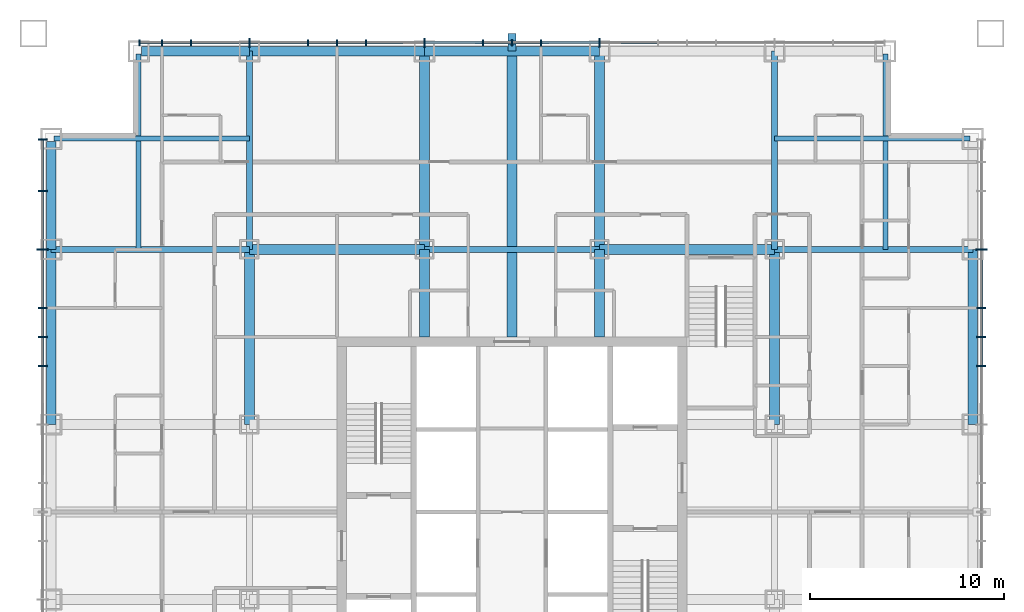
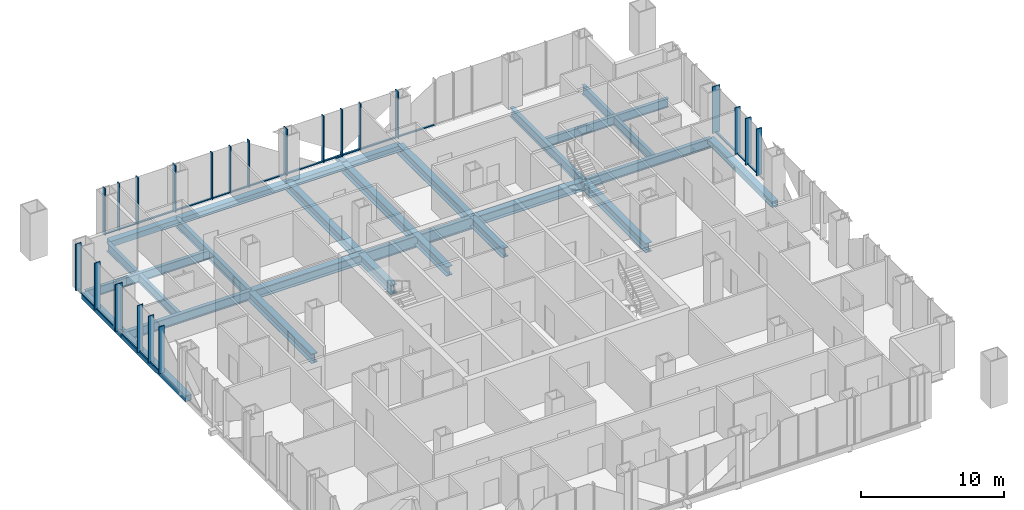
# One storey, part 5 of 13: 43 members, 24 beams, 3 elements without a shape of their own.
"""IFC4 building model written with IfcOpenShell, lengths in metres."""

from ifc_helpers import new_model, si_unit, direction, frame, origin, origin_2d, place, context, subcontext, project, spatial, rectangle, hollow_rectangle, i_section, extrude, material, layer, layer_set, material_profile, profile_set, type_object, element, aggregate, save


model = new_model("IFC4")

# Units and contexts
model_context = context("Model", 3, precision=1e-05, world=origin(), true_north=direction((0.0, 1.0)))
body_context = subcontext(model_context, "Body", "Model", "MODEL_VIEW")
ifc_project = project(units=[si_unit("LENGTHUNIT", "METRE"), si_unit("AREAUNIT", "SQUARE_METRE"), si_unit("VOLUMEUNIT", "CUBIC_METRE"), si_unit("PLANEANGLEUNIT", "RADIAN"), si_unit("MASSUNIT", "GRAM", prefix="KILO")], contexts=[model_context])

# Site, building, storey
site_placement = place(None, origin())
site = spatial("IfcSite", under=ifc_project, at=site_placement, CompositionType="ELEMENT")
building_placement = place(site_placement, origin())
building = spatial("IfcBuilding", under=site, at=building_placement, Name="Malebo Sky Hospital", CompositionType="ELEMENT")
storey_placement = place(building_placement, frame((0.0, 0.0, 156.0)))
storey = spatial("IfcBuildingStorey", under=building, at=storey_placement, Name="L37", CompositionType="ELEMENT", Elevation=156.0)

# Curtain wall, members
ifc_material_1 = material(Name="Anodised aluminium, natural silver", Category="aluminium")
ifc_layer_1 = layer(ifc_material_1, 0.25)
ifc_layer_set_1 = layer_set([ifc_layer_1], Name="WARD CURTAIN WALL NORTH AND SOUTH")
curtain_wall_type_1 = type_object("IfcCurtainWallType", Name="WARD CURTAIN WALL NORTH AND SOUTH", PredefinedType="NOTDEFINED", material=ifc_layer_set_1)
curtain_wall_1_placement = place(storey_placement, origin())
curtain_wall_1 = element("IfcCurtainWall", 1, at=curtain_wall_1_placement, inside=storey, type_object=curtain_wall_type_1, Name="NS curtain wall N", PredefinedType="NOTDEFINED")
ifc_material_profile_1 = material_profile(ifc_material_1, rectangle(XDim=0.14990234375, YDim=0.10009765625, at=origin_2d()), Name="ALUMINIUM TRANSOM 150x100")
ifc_profile_set_1 = profile_set([ifc_material_profile_1], Name="Anodised aluminium, natural silver")
member_type_1 = type_object("IfcMemberType", Name="ALUMINIUM TRANSOM 150x100", PredefinedType="USERDEFINED", material=ifc_profile_set_1)
member_1_placement = place(storey_placement, frame((40.875, 86.135009765625, 0.050048828125), z_axis=(1.0, 0.0, 0.0), x_axis=(0.0, 1.0, 0.0)))
member_1 = element("IfcMember", 2, at=member_1_placement, type_object=member_type_1, Name="Transom 1", ObjectType="TRANSOM", PredefinedType="USERDEFINED", context=body_context, shape_type="SweptSolid", body=[
    extrude(rectangle(XDim=0.14990234375, YDim=0.10009765625, at=origin_2d()), origin(), (0.0, 0.0, 1.0), 1.08740234375),
])
member_2_placement = place(storey_placement, frame((42.03759765625, 86.135009765625, 0.050048828125), z_axis=(1.0, 0.0, 0.0), x_axis=(0.0, 1.0, 0.0)))
member_2 = element("IfcMember", 3, at=member_2_placement, type_object=member_type_1, Name="Transom 2", ObjectType="TRANSOM", PredefinedType="USERDEFINED", context=body_context, shape_type="SweptSolid", body=[
    extrude(rectangle(XDim=0.14990234375, YDim=0.10009765625, at=origin_2d()), origin(), (0.0, 0.0, 1.0), 1.4248046875),
])
member_3_placement = place(storey_placement, frame((43.53759765625, 86.135009765625, 0.050048828125), z_axis=(1.0, 0.0, 0.0), x_axis=(0.0, 1.0, 0.0)))
member_3 = element("IfcMember", 4, at=member_3_placement, type_object=member_type_1, Name="Transom 3", ObjectType="TRANSOM", PredefinedType="USERDEFINED", context=body_context, shape_type="SweptSolid", body=[
    extrude(rectangle(XDim=0.14990234375, YDim=0.10009765625, at=origin_2d()), origin(), (0.0, 0.0, 1.0), 2.9248046875),
])
member_4_placement = place(storey_placement, frame((46.53759765625, 86.135009765625, 0.050048828125), z_axis=(1.0, 0.0, 0.0), x_axis=(0.0, 1.0, 0.0)))
member_4 = element("IfcMember", 5, at=member_4_placement, type_object=member_type_1, Name="Transom 4", ObjectType="TRANSOM", PredefinedType="USERDEFINED", context=body_context, shape_type="SweptSolid", body=[
    extrude(rectangle(XDim=0.14990234375, YDim=0.10009765625, at=origin_2d()), origin(), (0.0, 0.0, 1.0), 2.9248046875),
])
member_5_placement = place(storey_placement, frame((49.53759765625, 86.135009765625, 0.050048828125), z_axis=(1.0, 0.0, 0.0), x_axis=(0.0, 1.0, 0.0)))
member_5 = element("IfcMember", 6, at=member_5_placement, type_object=member_type_1, Name="Transom 5", ObjectType="TRANSOM", PredefinedType="USERDEFINED", context=body_context, shape_type="SweptSolid", body=[
    extrude(rectangle(XDim=0.14990234375, YDim=0.10009765625, at=origin_2d()), origin(), (0.0, 0.0, 1.0), 1.4248046875),
])
member_6_placement = place(storey_placement, frame((51.03759765625, 86.135009765625, 0.050048828125), z_axis=(1.0, 0.0, 0.0), x_axis=(0.0, 1.0, 0.0)))
member_6 = element("IfcMember", 7, at=member_6_placement, type_object=member_type_1, Name="Transom 6", ObjectType="TRANSOM", PredefinedType="USERDEFINED", context=body_context, shape_type="SweptSolid", body=[
    extrude(rectangle(XDim=0.14990234375, YDim=0.10009765625, at=origin_2d()), origin(), (0.0, 0.0, 1.0), 1.4248046875),
])
member_7_placement = place(storey_placement, frame((52.53759765625, 86.135009765625, 0.050048828125), z_axis=(1.0, 0.0, 0.0), x_axis=(0.0, 1.0, 0.0)))
member_7 = element("IfcMember", 8, at=member_7_placement, type_object=member_type_1, Name="Transom 7", ObjectType="TRANSOM", PredefinedType="USERDEFINED", context=body_context, shape_type="SweptSolid", body=[
    extrude(rectangle(XDim=0.14990234375, YDim=0.10009765625, at=origin_2d()), origin(), (0.0, 0.0, 1.0), 2.9248046875),
])
member_8_placement = place(storey_placement, frame((55.53759765625, 86.135009765625, 0.050048828125), z_axis=(1.0, 0.0, 0.0), x_axis=(0.0, 1.0, 0.0)))
member_8 = element("IfcMember", 9, at=member_8_placement, type_object=member_type_1, Name="Transom 8", ObjectType="TRANSOM", PredefinedType="USERDEFINED", context=body_context, shape_type="SweptSolid", body=[
    extrude(rectangle(XDim=0.14990234375, YDim=0.10009765625, at=origin_2d()), origin(), (0.0, 0.0, 1.0), 2.9248046875),
])
member_9_placement = place(storey_placement, frame((58.53759765625, 86.135009765625, 0.050048828125), z_axis=(1.0, 0.0, 0.0), x_axis=(0.0, 1.0, 0.0)))
member_9 = element("IfcMember", 10, at=member_9_placement, type_object=member_type_1, Name="Transom 9", ObjectType="TRANSOM", PredefinedType="USERDEFINED", context=body_context, shape_type="SweptSolid", body=[
    extrude(rectangle(XDim=0.14990234375, YDim=0.10009765625, at=origin_2d()), origin(), (0.0, 0.0, 1.0), 1.4248046875),
])
member_10_placement = place(storey_placement, frame((60.03759765625, 86.135009765625, 0.050048828125), z_axis=(1.0, 0.0, 0.0), x_axis=(0.0, 1.0, 0.0)))
member_10 = element("IfcMember", 11, at=member_10_placement, type_object=member_type_1, Name="Transom 10", ObjectType="TRANSOM", PredefinedType="USERDEFINED", context=body_context, shape_type="SweptSolid", body=[
    extrude(rectangle(XDim=0.14990234375, YDim=0.10009765625, at=origin_2d()), origin(), (0.0, 0.0, 1.0), 1.4248046875),
])
member_11_placement = place(storey_placement, frame((61.53759765625, 86.135009765625, 0.050048828125), z_axis=(1.0, 0.0, 0.0), x_axis=(0.0, 1.0, 0.0)))
member_11 = element("IfcMember", 12, at=member_11_placement, type_object=member_type_1, Name="Transom 11", ObjectType="TRANSOM", PredefinedType="USERDEFINED", context=body_context, shape_type="SweptSolid", body=[
    extrude(rectangle(XDim=0.14990234375, YDim=0.10009765625, at=origin_2d()), origin(), (0.0, 0.0, 1.0), 2.9248046875),
])
member_12_placement = place(storey_placement, frame((64.53759765625, 86.135009765625, 0.050048828125), z_axis=(1.0, 0.0, 0.0), x_axis=(0.0, 1.0, 0.0)))
member_12 = element("IfcMember", 13, at=member_12_placement, type_object=member_type_1, Name="Transom 12", ObjectType="TRANSOM", PredefinedType="USERDEFINED", context=body_context, shape_type="SweptSolid", body=[
    extrude(rectangle(XDim=0.14990234375, YDim=0.10009765625, at=origin_2d()), origin(), (0.0, 0.0, 1.0), 2.9248046875),
])

ifc_layer_2 = layer(ifc_material_1, 0.25)
ifc_layer_set_2 = layer_set([ifc_layer_2], Name="WARD CURTAIN WALL EAST AND WEST")
curtain_wall_type_2 = type_object("IfcCurtainWallType", Name="WARD CURTAIN WALL EAST AND WEST", PredefinedType="NOTDEFINED", material=ifc_layer_set_2)
curtain_wall_2_placement = place(storey_placement, origin())
curtain_wall_2 = element("IfcCurtainWall", 14, at=curtain_wall_2_placement, inside=storey, type_object=curtain_wall_type_2, Name="EW curtain wall W", PredefinedType="NOTDEFINED")
member_13_placement = place(storey_placement, frame((35.864990234375, 69.53759765625, 0.050048828125), z_axis=(0.0, 1.0, 0.0), x_axis=(-1.0, 0.0, 0.0)))
member_13 = element("IfcMember", 15, at=member_13_placement, type_object=member_type_1, Name="Transom 13", ObjectType="TRANSOM", PredefinedType="USERDEFINED", context=body_context, shape_type="SweptSolid", body=[
    extrude(rectangle(XDim=0.14990234375, YDim=0.10009765625, at=origin_2d()), origin(), (0.0, 0.0, 1.0), 1.4248046875),
])
member_14_placement = place(storey_placement, frame((35.864990234375, 71.03759765625, 0.050048828125), z_axis=(0.0, 1.0, 0.0), x_axis=(-1.0, 0.0, 0.0)))
member_14 = element("IfcMember", 16, at=member_14_placement, type_object=member_type_1, Name="Transom 14", ObjectType="TRANSOM", PredefinedType="USERDEFINED", context=body_context, shape_type="SweptSolid", body=[
    extrude(rectangle(XDim=0.14990234375, YDim=0.10009765625, at=origin_2d()), origin(), (0.0, 0.0, 1.0), 1.4248046875),
])
member_15_placement = place(storey_placement, frame((35.864990234375, 72.53759765625, 0.050048828125), z_axis=(0.0, 1.0, 0.0), x_axis=(-1.0, 0.0, 0.0)))
member_15 = element("IfcMember", 17, at=member_15_placement, type_object=member_type_1, Name="Transom 15", ObjectType="TRANSOM", PredefinedType="USERDEFINED", context=body_context, shape_type="SweptSolid", body=[
    extrude(rectangle(XDim=0.14990234375, YDim=0.10009765625, at=origin_2d()), origin(), (0.0, 0.0, 1.0), 2.9248046875),
])
member_16_placement = place(storey_placement, frame((35.864990234375, 75.53759765625, 0.050048828125), z_axis=(0.0, 1.0, 0.0), x_axis=(-1.0, 0.0, 0.0)))
member_16 = element("IfcMember", 18, at=member_16_placement, type_object=member_type_1, Name="Transom 16", ObjectType="TRANSOM", PredefinedType="USERDEFINED", context=body_context, shape_type="SweptSolid", body=[
    extrude(rectangle(XDim=0.14990234375, YDim=0.10009765625, at=origin_2d()), origin(), (0.0, 0.0, 1.0), 2.9248046875),
])
member_17_placement = place(storey_placement, frame((35.864990234375, 78.53759765625, 0.050048828125), z_axis=(0.0, 1.0, 0.0), x_axis=(-1.0, 0.0, 0.0)))
member_17 = element("IfcMember", 19, at=member_17_placement, type_object=member_type_1, Name="Transom 17", ObjectType="TRANSOM", PredefinedType="USERDEFINED", context=body_context, shape_type="SweptSolid", body=[
    extrude(rectangle(XDim=0.14990234375, YDim=0.10009765625, at=origin_2d()), origin(), (0.0, 0.0, 1.0), 2.58740234375),
])

curtain_wall_3_placement = place(storey_placement, origin())
curtain_wall_3 = element("IfcCurtainWall", 20, at=curtain_wall_3_placement, inside=storey, type_object=curtain_wall_type_2, Name="EW curtain wall E", PredefinedType="NOTDEFINED")
member_18_placement = place(storey_placement, frame((84.135009765625, 75.46240234375, 0.050048828125), z_axis=(0.0, -1.0, 0.0), x_axis=(1.0, 0.0, 0.0)))
member_18 = element("IfcMember", 21, at=member_18_placement, type_object=member_type_1, Name="Transom 4", ObjectType="TRANSOM", PredefinedType="USERDEFINED", context=body_context, shape_type="SweptSolid", body=[
    extrude(rectangle(XDim=0.14990234375, YDim=0.10009765625, at=origin_2d()), origin(), (0.0, 0.0, 1.0), 2.9248046875),
])
member_19_placement = place(storey_placement, frame((84.135009765625, 72.46240234375, 0.050048828125), z_axis=(0.0, -1.0, 0.0), x_axis=(1.0, 0.0, 0.0)))
member_19 = element("IfcMember", 22, at=member_19_placement, type_object=member_type_1, Name="Transom 5", ObjectType="TRANSOM", PredefinedType="USERDEFINED", context=body_context, shape_type="SweptSolid", body=[
    extrude(rectangle(XDim=0.14990234375, YDim=0.10009765625, at=origin_2d()), origin(), (0.0, 0.0, 1.0), 1.4248046875),
])
member_20_placement = place(storey_placement, frame((84.135009765625, 70.96240234375, 0.050048828125), z_axis=(0.0, -1.0, 0.0), x_axis=(1.0, 0.0, 0.0)))
member_20 = element("IfcMember", 23, at=member_20_placement, type_object=member_type_1, Name="Transom 6", ObjectType="TRANSOM", PredefinedType="USERDEFINED", context=body_context, shape_type="SweptSolid", body=[
    extrude(rectangle(XDim=0.14990234375, YDim=0.10009765625, at=origin_2d()), origin(), (0.0, 0.0, 1.0), 1.4248046875),
])

# Member
ifc_material_2 = material(Name="Steel S355", Category="steel")
ifc_material_profile_2 = material_profile(ifc_material_2, hollow_rectangle(XDim=0.39990234375, YDim=0.39990234375, WallThickness=0.02001953125, at=origin_2d()), Name="SHS 400x20")
ifc_profile_set_2 = profile_set([ifc_material_profile_2], Name="Steel S355")
member_type_2 = type_object("IfcMemberType", Name="BRACE STRUT SHS 400x20", PredefinedType="STRUT", material=ifc_profile_set_2)
member_21_placement = place(storey_placement, frame((60.0, 86.60009765625, -0.39990234375), z_axis=(0.0, -1.0, 0.0), x_axis=(1.0, 0.0, 0.0)))
element("IfcMember", 24, at=member_21_placement, inside=storey, type_object=member_type_2, Name="Brace strut BN1 L37", PredefinedType="STRUT", context=body_context, shape_type="SweptSolid", body=[
    extrude(hollow_rectangle(XDim=0.39990234375, YDim=0.39990234375, WallThickness=0.02001953125, at=origin_2d()), origin(), (0.0, 0.0, 1.0), 0.900146484375),
])

ifc_material_profile_3 = material_profile(ifc_material_1, rectangle(XDim=0.074951171875, YDim=0.300048828125, at=origin_2d()), Name="CW1 ALUMINIUM FIN MULLION 75x300")
ifc_profile_set_3 = profile_set([ifc_material_profile_3], Name="Anodised aluminium, natural silver")
member_type_3 = type_object("IfcMemberType", Name="CW1 ALUMINIUM FIN MULLION 75x300", PredefinedType="MULLION", material=ifc_profile_set_3)
member_22_placement = place(storey_placement, frame((40.83740234375, 86.135009765625, 0.0), z_axis=(0.0, 0.0, 1.0), x_axis=(1.0, 0.0, 0.0)))
member_22 = element("IfcMember", 25, at=member_22_placement, type_object=member_type_3, Name="Fin mullion 1", PredefinedType="MULLION", context=body_context, shape_type="SweptSolid", body=[
    extrude(rectangle(XDim=0.074951171875, YDim=0.300048828125, at=origin_2d()), origin(), (0.0, 0.0, 1.0), 4.0),
])

member_23_placement = place(storey_placement, frame((42.0, 86.135009765625, 0.0), z_axis=(0.0, 0.0, 1.0), x_axis=(1.0, 0.0, 0.0)))
member_23 = element("IfcMember", 26, at=member_23_placement, type_object=member_type_3, Name="Fin mullion 2", PredefinedType="MULLION", context=body_context, shape_type="SweptSolid", body=[
    extrude(rectangle(XDim=0.074951171875, YDim=0.300048828125, at=origin_2d()), origin(), (0.0, 0.0, 1.0), 4.0),
])

member_24_placement = place(storey_placement, frame((43.5, 86.135009765625, 0.0), z_axis=(0.0, 0.0, 1.0), x_axis=(1.0, 0.0, 0.0)))
member_24 = element("IfcMember", 27, at=member_24_placement, type_object=member_type_3, Name="Fin mullion 3", PredefinedType="MULLION", context=body_context, shape_type="SweptSolid", body=[
    extrude(rectangle(XDim=0.074951171875, YDim=0.300048828125, at=origin_2d()), origin(), (0.0, 0.0, 1.0), 4.0),
])

member_25_placement = place(storey_placement, frame((49.5, 86.135009765625, 0.0), z_axis=(0.0, 0.0, 1.0), x_axis=(1.0, 0.0, 0.0)))
member_25 = element("IfcMember", 28, at=member_25_placement, type_object=member_type_3, Name="Fin mullion 5", PredefinedType="MULLION", context=body_context, shape_type="SweptSolid", body=[
    extrude(rectangle(XDim=0.074951171875, YDim=0.300048828125, at=origin_2d()), origin(), (0.0, 0.0, 1.0), 4.0),
])

member_26_placement = place(storey_placement, frame((51.0, 86.135009765625, 0.0), z_axis=(0.0, 0.0, 1.0), x_axis=(1.0, 0.0, 0.0)))
member_26 = element("IfcMember", 29, at=member_26_placement, type_object=member_type_3, Name="Fin mullion 6", PredefinedType="MULLION", context=body_context, shape_type="SweptSolid", body=[
    extrude(rectangle(XDim=0.074951171875, YDim=0.300048828125, at=origin_2d()), origin(), (0.0, 0.0, 1.0), 4.0),
])

member_27_placement = place(storey_placement, frame((52.5, 86.135009765625, 0.0), z_axis=(0.0, 0.0, 1.0), x_axis=(1.0, 0.0, 0.0)))
member_27 = element("IfcMember", 30, at=member_27_placement, type_object=member_type_3, Name="Fin mullion 7", PredefinedType="MULLION", context=body_context, shape_type="SweptSolid", body=[
    extrude(rectangle(XDim=0.074951171875, YDim=0.300048828125, at=origin_2d()), origin(), (0.0, 0.0, 1.0), 4.0),
])

member_28_placement = place(storey_placement, frame((58.5, 86.135009765625, 0.0), z_axis=(0.0, 0.0, 1.0), x_axis=(1.0, 0.0, 0.0)))
member_28 = element("IfcMember", 31, at=member_28_placement, type_object=member_type_3, Name="Fin mullion 9", PredefinedType="MULLION", context=body_context, shape_type="SweptSolid", body=[
    extrude(rectangle(XDim=0.074951171875, YDim=0.300048828125, at=origin_2d()), origin(), (0.0, 0.0, 1.0), 4.0),
])

member_29_placement = place(storey_placement, frame((60.0, 86.135009765625, 0.0), z_axis=(0.0, 0.0, 1.0), x_axis=(1.0, 0.0, 0.0)))
member_29 = element("IfcMember", 32, at=member_29_placement, type_object=member_type_3, Name="Fin mullion 10", PredefinedType="MULLION", context=body_context, shape_type="SweptSolid", body=[
    extrude(rectangle(XDim=0.074951171875, YDim=0.300048828125, at=origin_2d()), origin(), (0.0, 0.0, 1.0), 4.0),
])

member_30_placement = place(storey_placement, frame((61.5, 86.135009765625, 0.0), z_axis=(0.0, 0.0, 1.0), x_axis=(1.0, 0.0, 0.0)))
member_30 = element("IfcMember", 33, at=member_30_placement, type_object=member_type_3, Name="Fin mullion 11", PredefinedType="MULLION", context=body_context, shape_type="SweptSolid", body=[
    extrude(rectangle(XDim=0.074951171875, YDim=0.300048828125, at=origin_2d()), origin(), (0.0, 0.0, 1.0), 4.0),
])

ifc_material_profile_4 = material_profile(ifc_material_1, rectangle(XDim=0.074951171875, YDim=0.449951171875, at=origin_2d()), Name="CW1 ALUMINIUM FIN MULLION 75x450")
ifc_profile_set_4 = profile_set([ifc_material_profile_4], Name="Anodised aluminium, natural silver")
member_type_4 = type_object("IfcMemberType", Name="CW1 ALUMINIUM FIN MULLION 75x450", PredefinedType="MULLION", material=ifc_profile_set_4)
member_31_placement = place(storey_placement, frame((46.5, 86.135009765625, 0.0), z_axis=(0.0, 0.0, 1.0), x_axis=(1.0, 0.0, 0.0)))
member_31 = element("IfcMember", 34, at=member_31_placement, type_object=member_type_4, Name="Fin mullion 4", PredefinedType="MULLION", context=body_context, shape_type="SweptSolid", body=[
    extrude(rectangle(XDim=0.074951171875, YDim=0.449951171875, at=origin_2d()), origin(), (0.0, 0.0, 1.0), 4.0),
])

member_32_placement = place(storey_placement, frame((55.5, 86.135009765625, 0.0), z_axis=(0.0, 0.0, 1.0), x_axis=(1.0, 0.0, 0.0)))
member_32 = element("IfcMember", 35, at=member_32_placement, type_object=member_type_4, Name="Fin mullion 8", PredefinedType="MULLION", context=body_context, shape_type="SweptSolid", body=[
    extrude(rectangle(XDim=0.074951171875, YDim=0.449951171875, at=origin_2d()), origin(), (0.0, 0.0, 1.0), 4.0),
])

member_33_placement = place(storey_placement, frame((64.5, 86.135009765625, 0.0), z_axis=(0.0, 0.0, 1.0), x_axis=(1.0, 0.0, 0.0)))
member_33 = element("IfcMember", 36, at=member_33_placement, type_object=member_type_4, Name="Fin mullion 12", PredefinedType="MULLION", context=body_context, shape_type="SweptSolid", body=[
    extrude(rectangle(XDim=0.074951171875, YDim=0.449951171875, at=origin_2d()), origin(), (0.0, 0.0, 1.0), 4.0),
])

aggregate(curtain_wall_1, [member_22, member_23, member_24, member_31, member_25, member_26, member_27, member_32, member_28, member_29, member_30, member_33, member_1, member_2, member_3, member_4, member_5, member_6, member_7, member_8, member_9, member_10, member_11, member_12])

ifc_material_profile_5 = material_profile(ifc_material_1, rectangle(XDim=0.074951171875, YDim=0.449951171875, at=origin_2d()), Name="CW2 ALUMINIUM FIN MULLION 75x450")
ifc_profile_set_5 = profile_set([ifc_material_profile_5], Name="Anodised aluminium, natural silver")
member_type_5 = type_object("IfcMemberType", Name="CW2 ALUMINIUM FIN MULLION 75x450", PredefinedType="MULLION", material=ifc_profile_set_5)
member_34_placement = place(storey_placement, frame((35.864990234375, 69.5, 0.0), z_axis=(0.0, 0.0, 1.0), x_axis=(0.0, 1.0, 0.0)))
member_34 = element("IfcMember", 37, at=member_34_placement, type_object=member_type_5, Name="Fin mullion 13", PredefinedType="MULLION", context=body_context, shape_type="SweptSolid", body=[
    extrude(rectangle(XDim=0.074951171875, YDim=0.449951171875, at=origin_2d()), origin(), (0.0, 0.0, 1.0), 4.0),
])

member_35_placement = place(storey_placement, frame((35.864990234375, 71.0, 0.0), z_axis=(0.0, 0.0, 1.0), x_axis=(0.0, 1.0, 0.0)))
member_35 = element("IfcMember", 38, at=member_35_placement, type_object=member_type_5, Name="Fin mullion 14", PredefinedType="MULLION", context=body_context, shape_type="SweptSolid", body=[
    extrude(rectangle(XDim=0.074951171875, YDim=0.449951171875, at=origin_2d()), origin(), (0.0, 0.0, 1.0), 4.0),
])

member_36_placement = place(storey_placement, frame((35.864990234375, 72.5, 0.0), z_axis=(0.0, 0.0, 1.0), x_axis=(0.0, 1.0, 0.0)))
member_36 = element("IfcMember", 39, at=member_36_placement, type_object=member_type_5, Name="Fin mullion 15", PredefinedType="MULLION", context=body_context, shape_type="SweptSolid", body=[
    extrude(rectangle(XDim=0.074951171875, YDim=0.449951171875, at=origin_2d()), origin(), (0.0, 0.0, 1.0), 4.0),
])

member_37_placement = place(storey_placement, frame((35.864990234375, 78.5, 0.0), z_axis=(0.0, 0.0, 1.0), x_axis=(0.0, 1.0, 0.0)))
member_37 = element("IfcMember", 40, at=member_37_placement, type_object=member_type_5, Name="Fin mullion 17", PredefinedType="MULLION", context=body_context, shape_type="SweptSolid", body=[
    extrude(rectangle(XDim=0.074951171875, YDim=0.449951171875, at=origin_2d()), origin(), (0.0, 0.0, 1.0), 4.0),
])

member_38_placement = place(storey_placement, frame((35.864990234375, 81.16259765625, 0.0), z_axis=(0.0, 0.0, 1.0), x_axis=(0.0, 1.0, 0.0)))
member_38 = element("IfcMember", 41, at=member_38_placement, type_object=member_type_5, Name="Fin mullion 18", PredefinedType="MULLION", context=body_context, shape_type="SweptSolid", body=[
    extrude(rectangle(XDim=0.074951171875, YDim=0.449951171875, at=origin_2d()), origin(), (0.0, 0.0, 1.0), 4.0),
])

member_39_placement = place(storey_placement, frame((84.135009765625, 72.5, 0.0), z_axis=(0.0, 0.0, 1.0), x_axis=(0.0, -1.0, 0.0)))
member_39 = element("IfcMember", 42, at=member_39_placement, type_object=member_type_5, Name="Fin mullion 5", PredefinedType="MULLION", context=body_context, shape_type="SweptSolid", body=[
    extrude(rectangle(XDim=0.074951171875, YDim=0.449951171875, at=origin_2d()), origin(), (0.0, 0.0, 1.0), 4.0),
])

member_40_placement = place(storey_placement, frame((84.135009765625, 71.0, 0.0), z_axis=(0.0, 0.0, 1.0), x_axis=(0.0, -1.0, 0.0)))
member_40 = element("IfcMember", 43, at=member_40_placement, type_object=member_type_5, Name="Fin mullion 6", PredefinedType="MULLION", context=body_context, shape_type="SweptSolid", body=[
    extrude(rectangle(XDim=0.074951171875, YDim=0.449951171875, at=origin_2d()), origin(), (0.0, 0.0, 1.0), 4.0),
])

member_41_placement = place(storey_placement, frame((84.135009765625, 69.5, 0.0), z_axis=(0.0, 0.0, 1.0), x_axis=(0.0, -1.0, 0.0)))
member_41 = element("IfcMember", 44, at=member_41_placement, type_object=member_type_5, Name="Fin mullion 7", PredefinedType="MULLION", context=body_context, shape_type="SweptSolid", body=[
    extrude(rectangle(XDim=0.074951171875, YDim=0.449951171875, at=origin_2d()), origin(), (0.0, 0.0, 1.0), 4.0),
])

ifc_material_profile_6 = material_profile(ifc_material_1, rectangle(XDim=0.074951171875, YDim=0.60009765625, at=origin_2d()), Name="CW2 ALUMINIUM FIN MULLION 75x600")
ifc_profile_set_6 = profile_set([ifc_material_profile_6], Name="Anodised aluminium, natural silver")
member_type_6 = type_object("IfcMemberType", Name="CW2 ALUMINIUM FIN MULLION 75x600", PredefinedType="MULLION", material=ifc_profile_set_6)
member_42_placement = place(storey_placement, frame((35.864990234375, 75.5, 0.0), z_axis=(0.0, 0.0, 1.0), x_axis=(0.0, 1.0, 0.0)))
member_42 = element("IfcMember", 45, at=member_42_placement, type_object=member_type_6, Name="Fin mullion 16", PredefinedType="MULLION", context=body_context, shape_type="SweptSolid", body=[
    extrude(rectangle(XDim=0.074951171875, YDim=0.60009765625, at=origin_2d()), origin(), (0.0, 0.0, 1.0), 4.0),
])

aggregate(curtain_wall_2, [member_34, member_35, member_36, member_42, member_37, member_38, member_13, member_14, member_15, member_16, member_17])

member_43_placement = place(storey_placement, frame((84.135009765625, 75.5, 0.0), z_axis=(0.0, 0.0, 1.0), x_axis=(0.0, -1.0, 0.0)))
member_43 = element("IfcMember", 46, at=member_43_placement, type_object=member_type_6, Name="Fin mullion 4", PredefinedType="MULLION", context=body_context, shape_type="SweptSolid", body=[
    extrude(rectangle(XDim=0.074951171875, YDim=0.60009765625, at=origin_2d()), origin(), (0.0, 0.0, 1.0), 4.0),
])

aggregate(curtain_wall_3, [member_43, member_39, member_40, member_41, member_18, member_19, member_20])

# Beams
ifc_material_3 = material(Name="Steel S460", Category="steel")
ifc_material_profile_7 = material_profile(ifc_material_3, hollow_rectangle(XDim=0.5, YDim=0.5, WallThickness=0.030029296875, at=origin_2d()), Name="BOX 500x500x30")
ifc_profile_set_7 = profile_set([ifc_material_profile_7], Name="Steel S460")
beam_type_1 = type_object("IfcBeamType", Name="EDGE BEAM BOX 500x500x30", PredefinedType="BEAM", material=ifc_profile_set_7)
beam_1_placement = place(storey_placement, frame((36.300048828125, 66.5, -0.5), z_axis=(0.0, 1.0, 0.0), x_axis=(-1.0, 0.0, 0.0)))
element("IfcBeam", 47, at=beam_1_placement, inside=storey, type_object=beam_type_1, Name="Beam 003 L37", PredefinedType="BEAM", context=body_context, shape_type="SweptSolid", body=[
    extrude(hollow_rectangle(XDim=0.5, YDim=0.5, WallThickness=0.030029296875, at=origin_2d()), origin(), (0.0, 0.0, 1.0), 9.0),
])
beam_2_placement = place(storey_placement, frame((36.300048828125, 75.5, -0.5), z_axis=(0.0, 1.0, 0.0), x_axis=(-1.0, 0.0, 0.0)))
element("IfcBeam", 48, at=beam_2_placement, inside=storey, type_object=beam_type_1, Name="Beam 004 L37", PredefinedType="BEAM", context=body_context, shape_type="SweptSolid", body=[
    extrude(hollow_rectangle(XDim=0.5, YDim=0.5, WallThickness=0.030029296875, at=origin_2d()), origin(), (0.0, 0.0, 1.0), 5.550048828125),
])
beam_3_placement = place(storey_placement, frame((83.699951171875, 66.5, -0.5), z_axis=(0.0, 1.0, 0.0), x_axis=(-1.0, 0.0, 0.0)))
element("IfcBeam", 49, at=beam_3_placement, inside=storey, type_object=beam_type_1, Name="Beam 032 L37", PredefinedType="BEAM", context=body_context, shape_type="SweptSolid", body=[
    extrude(hollow_rectangle(XDim=0.5, YDim=0.5, WallThickness=0.030029296875, at=origin_2d()), origin(), (0.0, 0.0, 1.0), 9.0),
])
beam_4_placement = place(storey_placement, frame((40.949951171875, 85.699951171875, -0.5), z_axis=(1.0, 0.0, 0.0), x_axis=(0.0, 1.0, 0.0)))
element("IfcBeam", 50, at=beam_4_placement, inside=storey, type_object=beam_type_1, Name="Beam 063 L37", PredefinedType="BEAM", context=body_context, shape_type="SweptSolid", body=[
    extrude(hollow_rectangle(XDim=0.5, YDim=0.5, WallThickness=0.030029296875, at=origin_2d()), origin(), (0.0, 0.0, 1.0), 5.550048828125),
])
for number, where, z_axis, x_axis, name in (
    (51, (46.5, 85.699951171875, -0.5), (1.0, 0.0, 0.0), (0.0, 1.0, 0.0), "Beam 064 L37"),
    (52, (55.5, 85.699951171875, -0.5), (1.0, 0.0, 0.0), (0.0, 1.0, 0.0), "Beam 065 L37"),
):
    element("IfcBeam", number, at=place(storey_placement, frame(where, z_axis=z_axis, x_axis=x_axis)), inside=storey, type_object=beam_type_1, Name=name, PredefinedType="BEAM", context=body_context, shape_type="SweptSolid", body=[
        extrude(hollow_rectangle(XDim=0.5, YDim=0.5, WallThickness=0.030029296875, at=origin_2d()), origin(), (0.0, 0.0, 1.0), 9.0),
    ])
ifc_material_profile_8 = material_profile(ifc_material_2, i_section(OverallWidth=0.262939453125, OverallDepth=0.7529296875, WebThickness=0.011474609375, FlangeThickness=0.01708984375, FilletRadius=0.01708984375, at=origin_2d()), Name="IPE 750x137")
ifc_profile_set_8 = profile_set([ifc_material_profile_8], Name="Steel S355")
beam_type_2 = type_object("IfcBeamType", Name="FLOOR BEAM IPE 750x137", PredefinedType="BEAM", material=ifc_profile_set_8)
for number, where, z_axis, x_axis, name in (
    (53, (40.800048828125, 75.5, -0.62646484375), (0.0, 1.0, 0.0), (-1.0, 0.0, 0.0), "Beam 006 L37"),
    (54, (79.199951171875, 75.5, -0.62646484375), (0.0, 1.0, 0.0), (-1.0, 0.0, 0.0), "Beam 028 L37"),
    (55, (36.449951171875, 81.199951171875, -0.62646484375), (1.0, 0.0, 0.0), (0.0, 1.0, 0.0), "Beam 061 L37"),
    (56, (73.5, 81.199951171875, -0.62646484375), (1.0, 0.0, 0.0), (0.0, 1.0, 0.0), "Beam 062 L37"),
):
    element("IfcBeam", number, at=place(storey_placement, frame(where, z_axis=z_axis, x_axis=x_axis)), inside=storey, type_object=beam_type_2, Name=name, PredefinedType="BEAM", context=body_context, shape_type="SweptSolid", body=[
        extrude(i_section(OverallWidth=0.262939453125, OverallDepth=0.7529296875, WebThickness=0.011474609375, FlangeThickness=0.01708984375, FilletRadius=0.01708984375, at=origin_2d()), origin(), (0.0, 0.0, 1.0), 10.050048828125),
    ])
ifc_material_profile_9 = material_profile(ifc_material_2, i_section(OverallWidth=0.5, OverallDepth=0.800048828125, WebThickness=0.030029296875, FlangeThickness=0.050048828125, at=origin_2d()), Name="PG 800x500x30x50")
ifc_profile_set_9 = profile_set([ifc_material_profile_9], Name="Steel S355")
beam_type_3 = type_object("IfcBeamType", Name="FLOOR BEAM PG 800x500x30x50", PredefinedType="BEAM", material=ifc_profile_set_9)
beam_5_placement = place(storey_placement, frame((46.5, 66.5, -0.64990234375), z_axis=(0.0, 1.0, 0.0), x_axis=(-1.0, 0.0, 0.0)))
element("IfcBeam", 57, at=beam_5_placement, inside=storey, type_object=beam_type_3, Name="Beam 010 L37", PredefinedType="BEAM", context=body_context, shape_type="SweptSolid", body=[
    extrude(i_section(OverallWidth=0.5, OverallDepth=0.800048828125, WebThickness=0.030029296875, FlangeThickness=0.050048828125, at=origin_2d()), origin(), (0.0, 0.0, 1.0), 9.0),
])
beam_6_placement = place(storey_placement, frame((55.5, 71.0, -0.64990234375), z_axis=(0.0, 1.0, 0.0), x_axis=(-1.0, 0.0, 0.0)))
element("IfcBeam", 58, at=beam_6_placement, inside=storey, type_object=beam_type_3, Name="Beam 014 L37", PredefinedType="BEAM", context=body_context, shape_type="SweptSolid", body=[
    extrude(i_section(OverallWidth=0.5, OverallDepth=0.800048828125, WebThickness=0.030029296875, FlangeThickness=0.050048828125, at=origin_2d()), origin(), (0.0, 0.0, 1.0), 4.5),
])
beam_7_placement = place(storey_placement, frame((55.5, 75.5, -0.64990234375), z_axis=(0.0, 1.0, 0.0), x_axis=(-1.0, 0.0, 0.0)))
element("IfcBeam", 59, at=beam_7_placement, inside=storey, type_object=beam_type_3, Name="Beam 015 L37", PredefinedType="BEAM", context=body_context, shape_type="SweptSolid", body=[
    extrude(i_section(OverallWidth=0.5, OverallDepth=0.800048828125, WebThickness=0.030029296875, FlangeThickness=0.050048828125, at=origin_2d()), origin(), (0.0, 0.0, 1.0), 10.199951171875),
])
beam_8_placement = place(storey_placement, frame((60.0, 71.0, -0.64990234375), z_axis=(0.0, 1.0, 0.0), x_axis=(-1.0, 0.0, 0.0)))
element("IfcBeam", 60, at=beam_8_placement, inside=storey, type_object=beam_type_3, Name="Beam 017 L37", PredefinedType="BEAM", context=body_context, shape_type="SweptSolid", body=[
    extrude(i_section(OverallWidth=0.5, OverallDepth=0.800048828125, WebThickness=0.030029296875, FlangeThickness=0.050048828125, at=origin_2d()), origin(), (0.0, 0.0, 1.0), 14.699951171875),
])
beam_9_placement = place(storey_placement, frame((64.5, 71.0, -0.64990234375), z_axis=(0.0, 1.0, 0.0), x_axis=(-1.0, 0.0, 0.0)))
element("IfcBeam", 61, at=beam_9_placement, inside=storey, type_object=beam_type_3, Name="Beam 020 L37", PredefinedType="BEAM", context=body_context, shape_type="SweptSolid", body=[
    extrude(i_section(OverallWidth=0.5, OverallDepth=0.800048828125, WebThickness=0.030029296875, FlangeThickness=0.050048828125, at=origin_2d()), origin(), (0.0, 0.0, 1.0), 4.5),
])
beam_10_placement = place(storey_placement, frame((64.5, 75.5, -0.64990234375), z_axis=(0.0, 1.0, 0.0), x_axis=(-1.0, 0.0, 0.0)))
element("IfcBeam", 62, at=beam_10_placement, inside=storey, type_object=beam_type_3, Name="Beam 021 L37", PredefinedType="BEAM", context=body_context, shape_type="SweptSolid", body=[
    extrude(i_section(OverallWidth=0.5, OverallDepth=0.800048828125, WebThickness=0.030029296875, FlangeThickness=0.050048828125, at=origin_2d()), origin(), (0.0, 0.0, 1.0), 10.199951171875),
])
for number, where, z_axis, x_axis, name in (
    (63, (73.5, 66.5, -0.64990234375), (0.0, 1.0, 0.0), (-1.0, 0.0, 0.0), "Beam 025 L37"),
    (64, (46.5, 75.5, -0.64990234375), (1.0, 0.0, 0.0), (0.0, 1.0, 0.0), "Beam 057 L37"),
    (65, (64.5, 75.5, -0.64990234375), (1.0, 0.0, 0.0), (0.0, 1.0, 0.0), "Beam 059 L37"),
):
    element("IfcBeam", number, at=place(storey_placement, frame(where, z_axis=z_axis, x_axis=x_axis)), inside=storey, type_object=beam_type_3, Name=name, PredefinedType="BEAM", context=body_context, shape_type="SweptSolid", body=[
        extrude(i_section(OverallWidth=0.5, OverallDepth=0.800048828125, WebThickness=0.030029296875, FlangeThickness=0.050048828125, at=origin_2d()), origin(), (0.0, 0.0, 1.0), 9.0),
    ])
ifc_material_profile_10 = material_profile(ifc_material_2, i_section(OverallWidth=0.300048828125, OverallDepth=0.800048828125, WebThickness=0.017578125, FlangeThickness=0.032958984375, FilletRadius=0.030029296875, at=origin_2d()), Name="HEB 800")
ifc_profile_set_10 = profile_set([ifc_material_profile_10], Name="Steel S355")
beam_type_4 = type_object("IfcBeamType", Name="FLOOR GIRDER HEB 800", PredefinedType="BEAM", material=ifc_profile_set_10)
for number, where, z_axis, x_axis, name in (
    (66, (46.5, 75.5, -0.64990234375), (0.0, 1.0, 0.0), (-1.0, 0.0, 0.0), "Beam 011 L37"),
    (67, (73.5, 75.5, -0.64990234375), (0.0, 1.0, 0.0), (-1.0, 0.0, 0.0), "Beam 026 L37"),
    (68, (36.300048828125, 75.5, -0.64990234375), (1.0, 0.0, 0.0), (0.0, 1.0, 0.0), "Beam 056 L37"),
    (69, (73.5, 75.5, -0.64990234375), (1.0, 0.0, 0.0), (0.0, 1.0, 0.0), "Beam 060 L37"),
):
    element("IfcBeam", number, at=place(storey_placement, frame(where, z_axis=z_axis, x_axis=x_axis)), inside=storey, type_object=beam_type_4, Name=name, PredefinedType="BEAM", context=body_context, shape_type="SweptSolid", body=[
        extrude(i_section(OverallWidth=0.300048828125, OverallDepth=0.800048828125, WebThickness=0.017578125, FlangeThickness=0.032958984375, FilletRadius=0.030029296875, at=origin_2d()), origin(), (0.0, 0.0, 1.0), 10.199951171875),
    ])
ifc_material_profile_11 = material_profile(ifc_material_2, i_section(OverallWidth=0.300048828125, OverallDepth=1.0, WebThickness=0.01904296875, FlangeThickness=0.035888671875, FilletRadius=0.030029296875, at=origin_2d()), Name="HEB 1000")
ifc_profile_set_11 = profile_set([ifc_material_profile_11], Name="Steel S355")
beam_type_5 = type_object("IfcBeamType", Name="RING GIRDER HEB 1000", PredefinedType="BEAM", material=ifc_profile_set_11)
beam_11_placement = place(storey_placement, frame((55.5, 75.5, -0.75), z_axis=(1.0, 0.0, 0.0), x_axis=(0.0, 1.0, 0.0)))
element("IfcBeam", 70, at=beam_11_placement, inside=storey, type_object=beam_type_5, Name="Beam 058 L37", PredefinedType="BEAM", context=body_context, shape_type="SweptSolid", body=[
    extrude(i_section(OverallWidth=0.300048828125, OverallDepth=1.0, WebThickness=0.01904296875, FlangeThickness=0.035888671875, FilletRadius=0.030029296875, at=origin_2d()), origin(), (0.0, 0.0, 1.0), 9.0),
])

save(model, "model.ifc")
